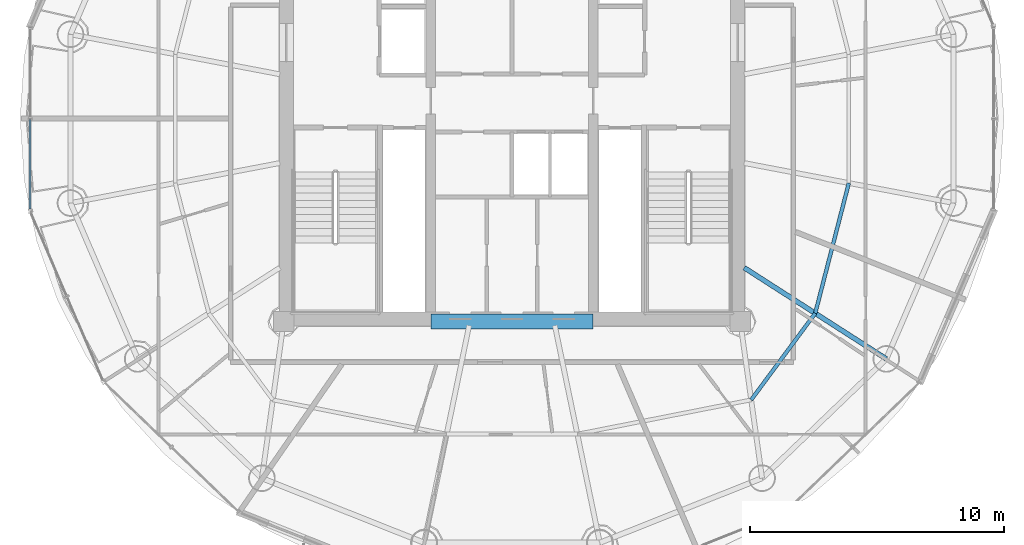
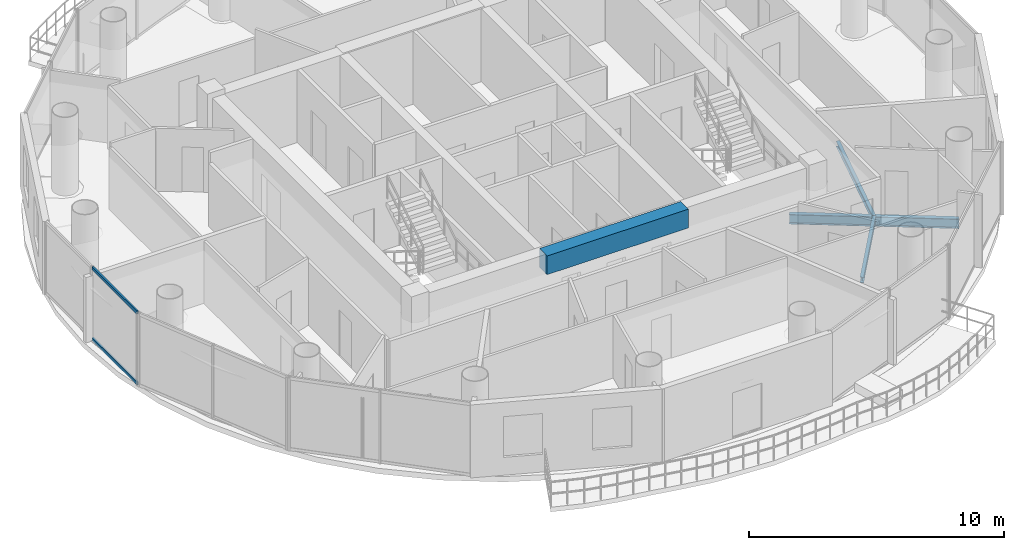
# One storey, part 7 of 24: 4 beams, 2 members, 1 element without a shape of its own.
"""IFC4 building model written with IfcOpenShell, lengths in metres."""

from ifc_helpers import new_model, si_unit, direction, frame, origin, origin_2d, place, context, subcontext, project, spatial, rectangle, hollow_rectangle, i_section, extrude, source, transform, mapped, material, material_profile, profile_set, type_object, element, aggregate, save


model = new_model("IFC4")

# Units and contexts
model_context = context("Model", 3, precision=1e-05, world=origin(), true_north=direction((-0.2419218956, 0.970295726276)))
body_context = subcontext(model_context, "Body", "Model", "MODEL_VIEW")
ifc_project = project(units=[si_unit("LENGTHUNIT", "METRE"), si_unit("AREAUNIT", "SQUARE_METRE"), si_unit("VOLUMEUNIT", "CUBIC_METRE"), si_unit("PLANEANGLEUNIT", "RADIAN"), si_unit("MASSUNIT", "GRAM", prefix="KILO")], contexts=[model_context])

# Site, building, storey
site_placement = place(None, origin())
site = spatial("IfcSite", under=ifc_project, at=site_placement, CompositionType="ELEMENT")
building_placement = place(site_placement, origin())
building = spatial("IfcBuilding", under=site, at=building_placement, Name="Cobrevalo Terracotta Tower", CompositionType="ELEMENT")
storey_placement = place(building_placement, frame((0.0, 0.0, 274.449951171875)))
storey = spatial("IfcBuildingStorey", under=building, at=storey_placement, Name="L72", CompositionType="ELEMENT", Elevation=274.449951171875)

# Beams
ifc_material_1 = material(Name="Concrete C60", Category="concrete")
ifc_material_profile_1 = material_profile(ifc_material_1, rectangle(XDim=0.60009765625, YDim=0.89990234375, at=origin_2d()), Name="RC CB 600x900")
ifc_profile_set_1 = profile_set([ifc_material_profile_1], Name="Concrete C60")
beam_type_1 = type_object("IfcBeamType", Name="Structural Beam RC CB 600x900 (Concrete C60)", PredefinedType="BEAM", material=ifc_profile_set_1)
beam_1_placement = place(storey_placement, frame((34.800048828125, 18.800048828125, 3.0400390625), z_axis=(1.0, 0.0, 0.0), x_axis=(0.0, 1.0, 0.0)))
element("IfcBeam", 1, at=beam_1_placement, inside=storey, type_object=beam_type_1, Name="L72 core coupling beam 1", PredefinedType="BEAM", context=body_context, shape_type="SweptSolid", body=[
    extrude(rectangle(XDim=0.60009765625, YDim=0.89990234375, at=origin_2d()), origin(), (0.0, 0.0, 1.0), 6.39990234375),
])
ifc_material_2 = material(Name="Steel S355", Category="steel")
ifc_material_profile_2 = material_profile(ifc_material_2, i_section(OverallWidth=0.19091796875, OverallDepth=0.4599609375, WebThickness=0.010009765625, FlangeThickness=0.01611328125, at=origin_2d()), Name="W 460x82")
ifc_profile_set_2 = profile_set([ifc_material_profile_2], Name="Steel S355")
beam_type_2 = type_object("IfcBeamType", Name="Structural Beam W 460x82 (Steel S355)", PredefinedType="BEAM", material=ifc_profile_set_2)
beam_2_placement = place(storey_placement, frame((52.758544921875, 17.32763671875, -0.489990234375), z_axis=(-0.84157615512, 0.540138477739, 0.0), x_axis=(-0.540138477739, -0.84157615512, 0.0)))
element("IfcBeam", 2, at=beam_2_placement, inside=storey, type_object=beam_type_2, Name="L72 radial floor girder 15", PredefinedType="BEAM", context=body_context, shape_type="SweptSolid", body=[
    extrude(i_section(OverallWidth=0.19091796875, OverallDepth=0.4599609375, WebThickness=0.010009765625, FlangeThickness=0.01611328125, at=origin_2d()), origin(), (0.0, 0.0, 1.0), 6.658447265625),
])
ifc_material_profile_3 = material_profile(ifc_material_2, i_section(OverallWidth=0.14794921875, OverallDepth=0.26611328125, WebThickness=0.007568359375, FlangeThickness=0.012939453125, at=origin_2d()), Name="W 250x44.8")
ifc_profile_set_3 = profile_set([ifc_material_profile_3], Name="Steel S355")
beam_type_3 = type_object("IfcBeamType", Name="Structural Joist W 250x44.8 (Steel S355)", PredefinedType="JOIST", material=ifc_profile_set_3)
beam_3_placement = place(storey_placement, frame((47.4306640625, 15.711669921875, -0.39306640625), z_axis=(0.594799916617, 0.803873783123, 0.0), x_axis=(-0.803873783123, 0.594799916617, 0.0)))
element("IfcBeam", 3, at=beam_3_placement, inside=storey, type_object=beam_type_3, Name="L72 circumferential secondary floor joist 14", PredefinedType="JOIST", context=body_context, shape_type="SweptSolid", body=[
    extrude(i_section(OverallWidth=0.14794921875, OverallDepth=0.26611328125, WebThickness=0.007568359375, FlangeThickness=0.012939453125, at=origin_2d()), origin(), (0.0, 0.0, 1.0), 4.2470703125),
])
beam_4_placement = place(storey_placement, frame((49.956787109375, 19.125732421875, -0.39306640625), z_axis=(0.249816773293, 0.968293126993, 0.0), x_axis=(-0.968293126993, 0.249816773293, 0.0)))
element("IfcBeam", 4, at=beam_4_placement, inside=storey, type_object=beam_type_3, Name="L72 circumferential secondary floor joist 15", PredefinedType="JOIST", context=body_context, shape_type="SweptSolid", body=[
    extrude(i_section(OverallWidth=0.14794921875, OverallDepth=0.26611328125, WebThickness=0.007568359375, FlangeThickness=0.012939453125, at=origin_2d()), origin(), (0.0, 0.0, 1.0), 5.3046875),
])

# Curtain wall, members
ifc_material_3 = material(Name="Anodized aluminium", Category="aluminium")
curtain_wall_type = type_object("IfcCurtainWallType", Name="Upper-tower triple-glazed penthouse curtain wall CW-U3", PredefinedType="NOTDEFINED", material=ifc_material_3)
curtain_wall_placement = place(storey_placement, origin())
curtain_wall = element("IfcCurtainWall", 5, at=curtain_wall_placement, inside=storey, type_object=curtain_wall_type, Name="L72 curtain wall CW-L72-S08", PredefinedType="NOTDEFINED")
ifc_material_profile_4 = material_profile(ifc_material_3, hollow_rectangle(XDim=0.074951171875, YDim=0.14990234375, WallThickness=0.00439453125, at=origin_2d()), Name="CWT 75x150")
ifc_profile_set_4 = profile_set([ifc_material_profile_4], Name="Anodized aluminium")
member_type = type_object("IfcMemberType", Name="Tower unitised aluminium transom 75x150", PredefinedType="USERDEFINED", material=ifc_profile_set_4)
shared_shape = source(origin(), body_context, "Body", "SweptSolid", [
    extrude(hollow_rectangle(XDim=0.074951171875, YDim=0.14990234375, WallThickness=0.00439453125, at=origin_2d()), origin(), (0.0, 0.0, 1.0), 3.5224609375),
])
member_1_placement = place(storey_placement, frame((19.002197265625, 26.760009765625, 0.050048828125), z_axis=(0.0, -1.0, 0.0), x_axis=(1.0, 0.0, 0.0)))
member_1 = element("IfcMember", 6, at=member_1_placement, type_object=member_type, Name="CW-L72-S08 transom B02-T1", ObjectType="TRANSOM", PredefinedType="USERDEFINED", context=body_context, shape_type="MappedRepresentation", body=[
    mapped(shared_shape, transform((0.0, 0.0, 0.0), scale=1.0)),
])
member_2_placement = place(storey_placement, frame((19.002197265625, 26.760009765625, 3.43994140625), z_axis=(0.0, -1.0, 0.0), x_axis=(1.0, 0.0, 0.0)))
member_2 = element("IfcMember", 7, at=member_2_placement, type_object=member_type, Name="CW-L72-S08 transom B02-T2", ObjectType="TRANSOM", PredefinedType="USERDEFINED", context=body_context, shape_type="MappedRepresentation", body=[
    mapped(shared_shape, transform((0.0, 0.0, 0.0), scale=1.0)),
])
aggregate(curtain_wall, [member_1, member_2])

save(model, "model.ifc")
